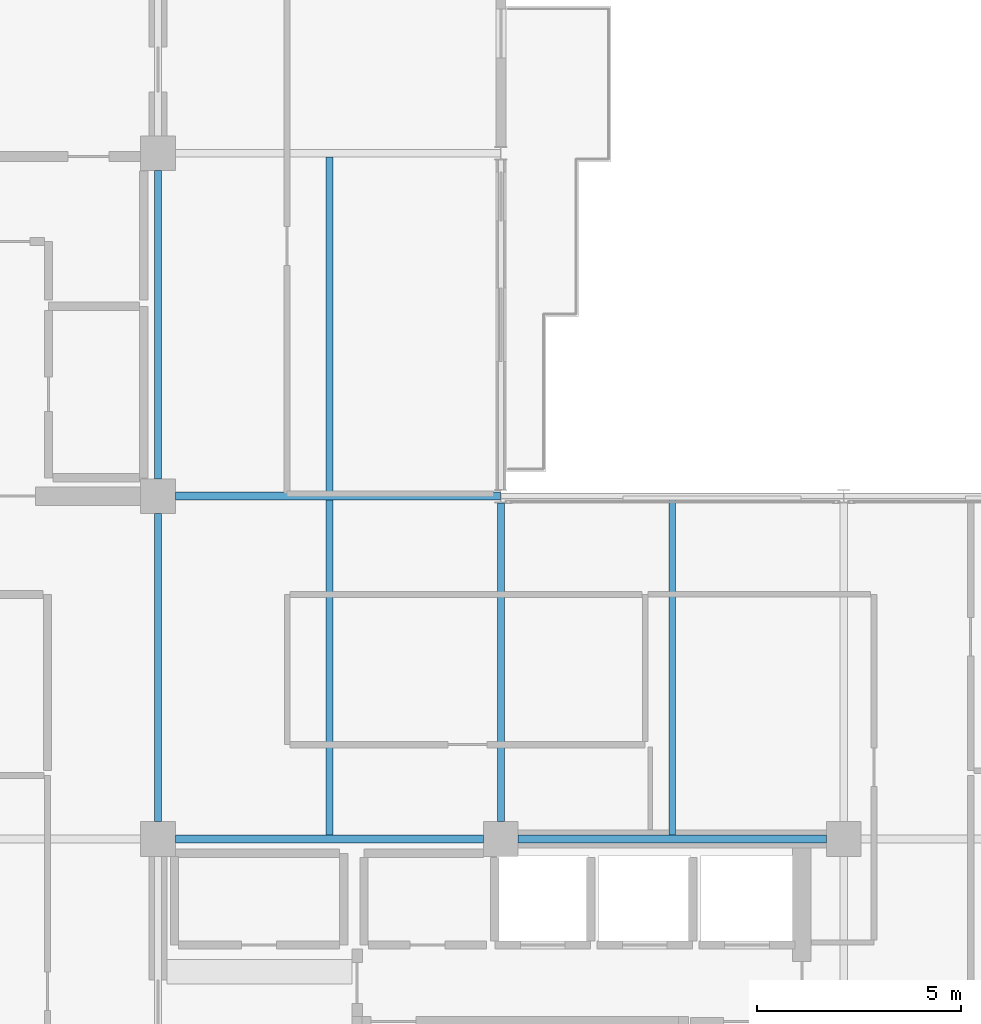
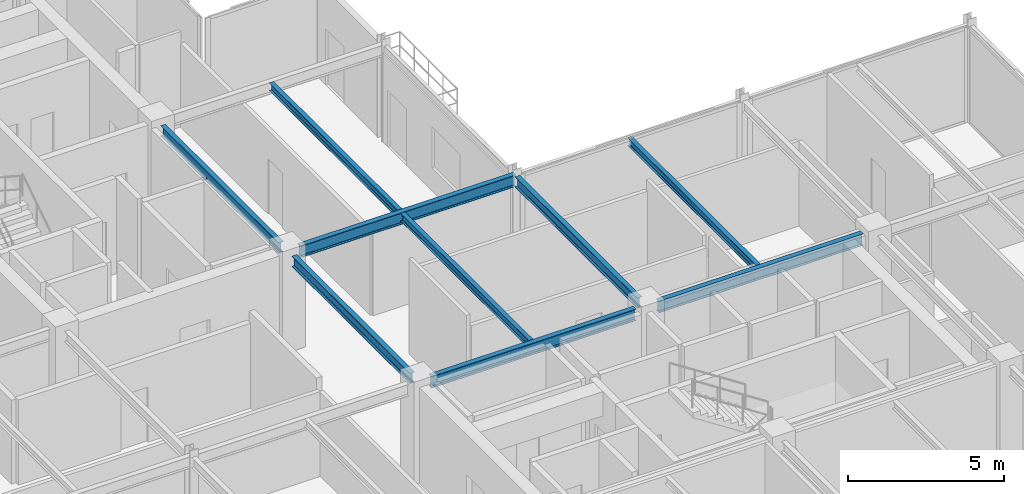
# One storey, part 12 of 26: 9 beams.
"""IFC4 building model written with IfcOpenShell, lengths in metres."""

from ifc_helpers import new_model, si_unit, direction, frame, origin, origin_2d, place, context, subcontext, project, spatial, i_section, extrude, material, material_profile, profile_set, type_object, element, save


model = new_model("IFC4")

# Units and contexts
model_context = context("Model", 3, precision=1e-05, world=origin(), true_north=direction((0.0, 1.0)))
body_context = subcontext(model_context, "Body", "Model", "MODEL_VIEW")
ifc_project = project(units=[si_unit("LENGTHUNIT", "METRE"), si_unit("AREAUNIT", "SQUARE_METRE"), si_unit("VOLUMEUNIT", "CUBIC_METRE"), si_unit("PLANEANGLEUNIT", "RADIAN"), si_unit("MASSUNIT", "GRAM", prefix="KILO")], contexts=[model_context])

# Site, building, storey
site_placement = place(None, origin())
site = spatial("IfcSite", under=ifc_project, at=site_placement, CompositionType="ELEMENT")
building_placement = place(site_placement, origin())
building = spatial("IfcBuilding", under=site, at=building_placement, Name="Nerrivon Quay Data Exchange", CompositionType="ELEMENT")
storey_placement = place(building_placement, frame((0.0, 0.0, 250.199951171875)))
storey = spatial("IfcBuildingStorey", under=building, at=storey_placement, Name="L59", CompositionType="ELEMENT", Elevation=250.199951171875)

# Beams
ifc_material = material(Name="Steel Grade 350", Category="steel")
ifc_material_profile_1 = material_profile(ifc_material, i_section(OverallWidth=0.18994140625, OverallDepth=0.4541015625, WebThickness=0.008544921875, FlangeThickness=0.0126953125, FilletRadius=0.011474609375, at=origin_2d()), Name="460UB67.1")
ifc_profile_set_1 = profile_set([ifc_material_profile_1], Name="Steel Grade 350")
beam_type_1 = type_object("IfcBeamType", Name="BM-G6-460UB67", PredefinedType="BEAM", material=ifc_profile_set_1)
beam_1_placement = place(storey_placement, frame((17.22509765625, 16.800048828125, 3.498046875), z_axis=(1.0, 0.0, 0.0), x_axis=(0.0, 1.0, 0.0)))
element("IfcBeam", 1, at=beam_1_placement, inside=storey, type_object=beam_type_1, Name="L59 EW Girder Y=16.8 (16.8..25.2)", PredefinedType="BEAM", context=body_context, shape_type="SweptSolid", body=[
    extrude(i_section(OverallWidth=0.18994140625, OverallDepth=0.4541015625, WebThickness=0.008544921875, FlangeThickness=0.0126953125, FilletRadius=0.011474609375, at=origin_2d()), origin(), (0.0, 0.0, 1.0), 7.5498046875),
])
beam_2_placement = place(storey_placement, frame((25.625, 16.800048828125, 3.498046875), z_axis=(1.0, 0.0, 0.0), x_axis=(0.0, 1.0, 0.0)))
element("IfcBeam", 2, at=beam_2_placement, inside=storey, type_object=beam_type_1, Name="L59 EW Girder Y=16.8 (25.2..33.6)", PredefinedType="BEAM", context=body_context, shape_type="SweptSolid", body=[
    extrude(i_section(OverallWidth=0.18994140625, OverallDepth=0.4541015625, WebThickness=0.008544921875, FlangeThickness=0.0126953125, FilletRadius=0.011474609375, at=origin_2d()), origin(), (0.0, 0.0, 1.0), 7.550048828125),
])
beam_3_placement = place(storey_placement, frame((17.22509765625, 25.199951171875, 3.498046875), z_axis=(1.0, 0.0, 0.0), x_axis=(0.0, 1.0, 0.0)))
element("IfcBeam", 3, at=beam_3_placement, inside=storey, type_object=beam_type_1, Name="L59 EW Girder Y=25.2 (16.8..25.2)", PredefinedType="BEAM", context=body_context, shape_type="SweptSolid", body=[
    extrude(i_section(OverallWidth=0.18994140625, OverallDepth=0.4541015625, WebThickness=0.008544921875, FlangeThickness=0.0126953125, FilletRadius=0.011474609375, at=origin_2d()), origin(), (0.0, 0.0, 1.0), 7.967041015625),
])
ifc_material_profile_2 = material_profile(ifc_material, i_section(OverallWidth=0.177978515625, OverallDepth=0.406005859375, WebThickness=0.0078125, FlangeThickness=0.0126953125, FilletRadius=0.011474609375, at=origin_2d()), Name="410UB59.7")
ifc_profile_set_2 = profile_set([ifc_material_profile_2], Name="Steel Grade 350")
beam_type_2 = type_object("IfcBeamType", Name="BM-J1-410UB60", PredefinedType="JOIST", material=ifc_profile_set_2)
beam_4_placement = place(storey_placement, frame((16.800048828125, 17.22509765625, 3.52197265625), z_axis=(0.0, 1.0, 0.0), x_axis=(-1.0, 0.0, 0.0)))
element("IfcBeam", 4, at=beam_4_placement, inside=storey, type_object=beam_type_2, Name="L59 NS Girder X=16.8 (16.8..25.2)", PredefinedType="JOIST", context=body_context, shape_type="SweptSolid", body=[
    extrude(i_section(OverallWidth=0.177978515625, OverallDepth=0.406005859375, WebThickness=0.0078125, FlangeThickness=0.0126953125, FilletRadius=0.011474609375, at=origin_2d()), origin(), (0.0, 0.0, 1.0), 7.5498046875),
])
beam_5_placement = place(storey_placement, frame((16.800048828125, 25.625, 3.52197265625), z_axis=(0.0, 1.0, 0.0), x_axis=(-1.0, 0.0, 0.0)))
element("IfcBeam", 5, at=beam_5_placement, inside=storey, type_object=beam_type_2, Name="L59 NS Girder X=16.8 (25.2..33.6)", PredefinedType="JOIST", context=body_context, shape_type="SweptSolid", body=[
    extrude(i_section(OverallWidth=0.177978515625, OverallDepth=0.406005859375, WebThickness=0.0078125, FlangeThickness=0.0126953125, FilletRadius=0.011474609375, at=origin_2d()), origin(), (0.0, 0.0, 1.0), 7.550048828125),
])
beam_6_placement = place(storey_placement, frame((25.199951171875, 17.22509765625, 3.52197265625), z_axis=(0.0, 1.0, 0.0), x_axis=(-1.0, 0.0, 0.0)))
element("IfcBeam", 6, at=beam_6_placement, inside=storey, type_object=beam_type_2, Name="L59 NS Girder X=25.2 (16.8..25.2)", PredefinedType="JOIST", context=body_context, shape_type="SweptSolid", body=[
    extrude(i_section(OverallWidth=0.177978515625, OverallDepth=0.406005859375, WebThickness=0.0078125, FlangeThickness=0.0126953125, FilletRadius=0.011474609375, at=origin_2d()), origin(), (0.0, 0.0, 1.0), 7.8115234375),
])
ifc_material_profile_3 = material_profile(ifc_material, i_section(OverallWidth=0.1650390625, OverallDepth=0.303955078125, WebThickness=0.006103515625, FlangeThickness=0.01025390625, FilletRadius=0.011474609375, at=origin_2d()), Name="310UB40.4")
ifc_profile_set_3 = profile_set([ifc_material_profile_3], Name="Steel Grade 350")
beam_type_3 = type_object("IfcBeamType", Name="BM-J6-310UB40", PredefinedType="JOIST", material=ifc_profile_set_3)
for number, where, z_axis, x_axis, name in (
    (7, (21.0, 16.89501953125, 3.572998046875), (0.0, 1.0, 0.0), (-1.0, 0.0, 0.0), "L59 Secondary Joist X=21.0 (16.8..25.2)"),
    (8, (21.0, 25.294921875, 3.572998046875), (0.0, 1.0, 0.0), (-1.0, 0.0, 0.0), "L59 Secondary Joist X=21.0 (25.2..33.6)"),
):
    element("IfcBeam", number, at=place(storey_placement, frame(where, z_axis=z_axis, x_axis=x_axis)), inside=storey, type_object=beam_type_3, Name=name, PredefinedType="JOIST", context=body_context, shape_type="SweptSolid", body=[
        extrude(i_section(OverallWidth=0.1650390625, OverallDepth=0.303955078125, WebThickness=0.006103515625, FlangeThickness=0.01025390625, FilletRadius=0.011474609375, at=origin_2d()), origin(), (0.0, 0.0, 1.0), 8.2099609375),
    ])
beam_7_placement = place(storey_placement, frame((29.39990234375, 16.89501953125, 3.572998046875), z_axis=(0.0, 1.0, 0.0), x_axis=(-1.0, 0.0, 0.0)))
element("IfcBeam", 9, at=beam_7_placement, inside=storey, type_object=beam_type_3, Name="L59 Secondary Joist X=29.4 (16.8..25.2)", PredefinedType="JOIST", context=body_context, shape_type="SweptSolid", body=[
    extrude(i_section(OverallWidth=0.1650390625, OverallDepth=0.303955078125, WebThickness=0.006103515625, FlangeThickness=0.01025390625, FilletRadius=0.011474609375, at=origin_2d()), origin(), (0.0, 0.0, 1.0), 8.22998046875),
])

save(model, "model.ifc")
